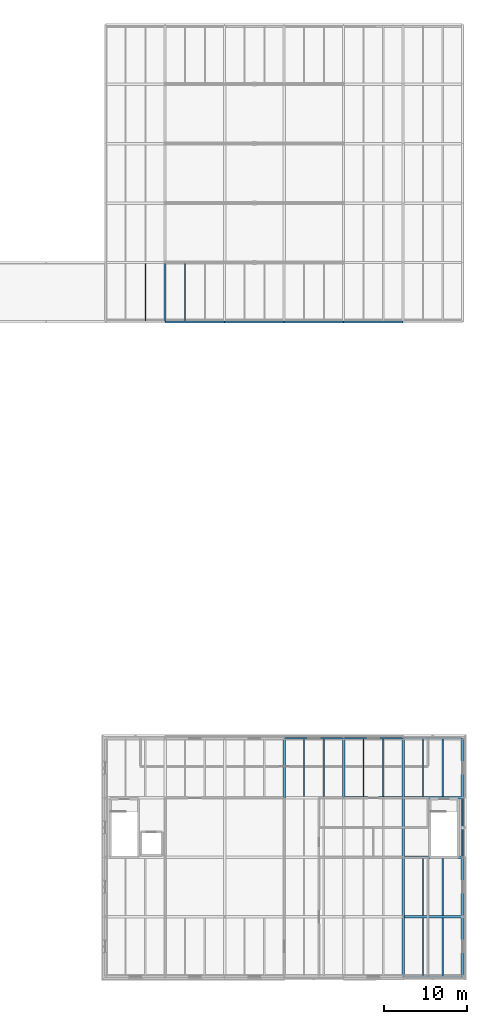
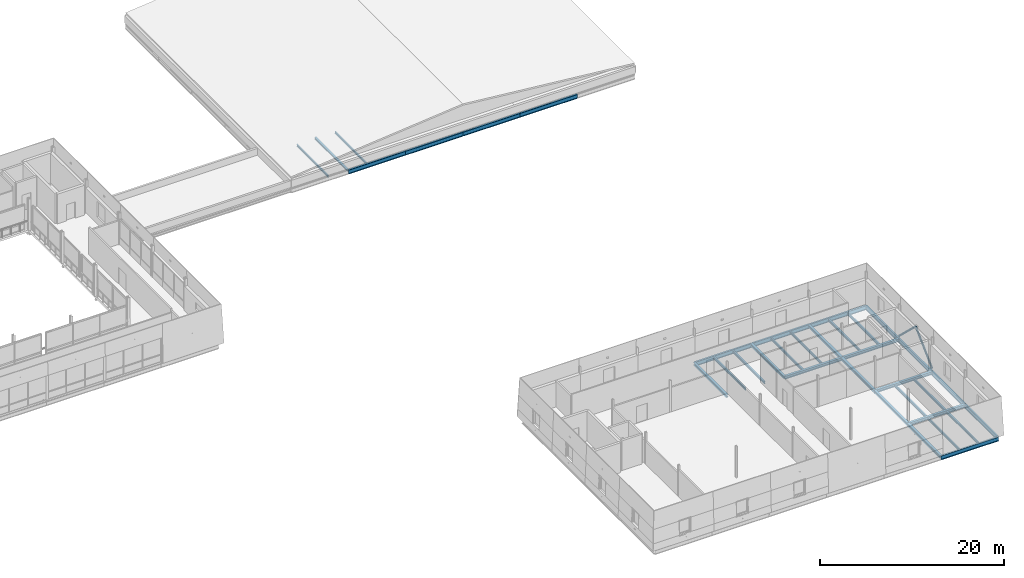
# One storey, part 28 of 91: 35 beams, 2 members.
"""IFC4 building model written with IfcOpenShell, lengths in metres."""

from ifc_helpers import new_model, si_unit, direction, frame, origin, origin_2d, place, context, subcontext, project, spatial, hollow_circle, i_section, extrude, material, material_profile, profile_set, type_object, element, save


model = new_model("IFC4")

# Units and contexts
model_context = context("Model", 3, precision=1e-05, world=origin(), true_north=direction((0.0, 1.0)))
body_context = subcontext(model_context, "Body", "Model", "MODEL_VIEW")
ifc_project = project(units=[si_unit("LENGTHUNIT", "METRE"), si_unit("AREAUNIT", "SQUARE_METRE"), si_unit("VOLUMEUNIT", "CUBIC_METRE"), si_unit("PLANEANGLEUNIT", "RADIAN"), si_unit("MASSUNIT", "GRAM", prefix="KILO")], contexts=[model_context])

# Site, building, storey
site_placement = place(None, origin())
site = spatial("IfcSite", under=ifc_project, at=site_placement, CompositionType="ELEMENT")
building_placement = place(site_placement, origin())
building = spatial("IfcBuilding", under=site, at=building_placement, Name="Narikvali Park Central Library", CompositionType="ELEMENT")
storey_placement = place(building_placement, frame((0.0, 0.0, 14.39990234375)))
storey = spatial("IfcBuildingStorey", under=building, at=storey_placement, Name="L03", CompositionType="ELEMENT", Elevation=14.39990234375)

# Beams
ifc_material = material(Name="Steel S355", Category="steel")
ifc_material_profile_1 = material_profile(ifc_material, i_section(OverallWidth=0.135009765625, OverallDepth=0.27001953125, WebThickness=0.006591796875, FlangeThickness=0.01025390625, FilletRadius=0.014892578125, at=origin_2d()), Name="IPE 270")
ifc_profile_set_1 = profile_set([ifc_material_profile_1], Name="Steel S355")
beam_type_1 = type_object("IfcBeamType", Name="Composite Floor Joist IPE270", PredefinedType="JOIST", material=ifc_profile_set_1)
for number, where, z_axis, x_axis, name in (
    (1, (127.199951171875, 79.304931640625, -0.375), (0.0, 1.0, 0.0), (-1.0, 0.0, 0.0), "V3 L03 Composite Joist 2"),
    (2, (132.0, 79.304931640625, -0.375), (0.0, 1.0, 0.0), (-1.0, 0.0, 0.0), "V3 L03 Composite Joist 1"),
):
    element("IfcBeam", number, at=place(storey_placement, frame(where, z_axis=z_axis, x_axis=x_axis)), inside=storey, type_object=beam_type_1, Name=name, PredefinedType="JOIST", context=body_context, shape_type="SweptSolid", body=[
        extrude(i_section(OverallWidth=0.135009765625, OverallDepth=0.27001953125, WebThickness=0.006591796875, FlangeThickness=0.01025390625, FilletRadius=0.014892578125, at=origin_2d()), origin(), (0.0, 0.0, 1.0), 6.945068359375),
    ])
ifc_material_profile_2 = material_profile(ifc_material, i_section(OverallWidth=0.159912109375, OverallDepth=0.330078125, WebThickness=0.007568359375, FlangeThickness=0.011474609375, FilletRadius=0.01806640625, at=origin_2d()), Name="IPE 330")
ifc_profile_set_2 = profile_set([ifc_material_profile_2], Name="Steel S355")
beam_type_2 = type_object("IfcBeamType", Name="Composite Floor Joist IPE330", PredefinedType="JOIST", material=ifc_profile_set_2)
for number, where, z_axis, x_axis, name in (
    (3, (146.39990234375, 21.75, -0.44482421875), (0.0, 1.0, 0.0), (-1.0, 0.0, 0.0), "V6 L03 Composite Joist 1"),
    (4, (148.800048828125, 21.75, -0.44482421875), (0.0, 1.0, 0.0), (-1.0, 0.0, 0.0), "V6 L03 Composite Joist 2"),
    (5, (153.60009765625, 21.75, -0.44482421875), (0.0, 1.0, 0.0), (-1.0, 0.0, 0.0), "V6 L03 Composite Joist 1"),
    (6, (156.0, 21.75, -0.44482421875), (0.0, 1.0, 0.0), (-1.0, 0.0, 0.0), "V6 L03 Composite Joist 2"),
    (7, (160.800048828125, 0.10498046875, -0.44482421875), (0.0, 1.0, 0.0), (-1.0, 0.0, 0.0), "V6 L03 Composite Joist 1"),
    (8, (163.199951171875, 0.10498046875, -0.44482421875), (0.0, 1.0, 0.0), (-1.0, 0.0, 0.0), "V6 L03 Composite Joist 2"),
):
    element("IfcBeam", number, at=place(storey_placement, frame(where, z_axis=z_axis, x_axis=x_axis)), inside=storey, type_object=beam_type_2, Name=name, PredefinedType="JOIST", context=body_context, shape_type="SweptSolid", body=[
        extrude(i_section(OverallWidth=0.159912109375, OverallDepth=0.330078125, WebThickness=0.007568359375, FlangeThickness=0.011474609375, FilletRadius=0.01806640625, at=origin_2d()), origin(), (0.0, 0.0, 1.0), 6.945068359375),
    ])
for number, where, z_axis, x_axis, name in (
    (9, (160.800048828125, 7.35009765625, -0.44482421875), (0.0, 1.0, 0.0), (-1.0, 0.0, 0.0), "V6 L03 Composite Joist 1"),
    (10, (163.199951171875, 7.35009765625, -0.44482421875), (0.0, 1.0, 0.0), (-1.0, 0.0, 0.0), "V6 L03 Composite Joist 2"),
):
    element("IfcBeam", number, at=place(storey_placement, frame(where, z_axis=z_axis, x_axis=x_axis)), inside=storey, type_object=beam_type_2, Name=name, PredefinedType="JOIST", context=body_context, shape_type="SweptSolid", body=[
        extrude(i_section(OverallWidth=0.159912109375, OverallDepth=0.330078125, WebThickness=0.007568359375, FlangeThickness=0.011474609375, FilletRadius=0.01806640625, at=origin_2d()), origin(), (0.0, 0.0, 1.0), 6.89990234375),
    ])
for number, where, z_axis, x_axis, name in (
    (11, (160.800048828125, 21.75, -0.44482421875), (0.0, 1.0, 0.0), (-1.0, 0.0, 0.0), "V6 L03 Composite Joist 1"),
    (12, (163.199951171875, 21.75, -0.44482421875), (0.0, 1.0, 0.0), (-1.0, 0.0, 0.0), "V6 L03 Composite Joist 2"),
):
    element("IfcBeam", number, at=place(storey_placement, frame(where, z_axis=z_axis, x_axis=x_axis)), inside=storey, type_object=beam_type_2, Name=name, PredefinedType="JOIST", context=body_context, shape_type="SweptSolid", body=[
        extrude(i_section(OverallWidth=0.159912109375, OverallDepth=0.330078125, WebThickness=0.007568359375, FlangeThickness=0.011474609375, FilletRadius=0.01806640625, at=origin_2d()), origin(), (0.0, 0.0, 1.0), 6.945068359375),
    ])
ifc_material_profile_3 = material_profile(ifc_material, i_section(OverallWidth=0.2099609375, OverallDepth=0.550048828125, WebThickness=0.010986328125, FlangeThickness=0.01708984375, FilletRadius=0.02392578125, at=origin_2d()), Name="IPE 550")
ifc_profile_set_3 = profile_set([ifc_material_profile_3], Name="Steel S355")
beam_type_3 = type_object("IfcBeamType", Name="Perimeter Spandrel IPE550", PredefinedType="SPANDREL", material=ifc_profile_set_3)
beam_1_placement = place(storey_placement, frame((129.60791015625, 79.199951171875, -0.514892578125), z_axis=(1.0, 0.0, 0.0), x_axis=(0.0, 1.0, 0.0)))
element("IfcBeam", 13, at=beam_1_placement, inside=storey, type_object=beam_type_3, Name="V3 L03 Girder X", PredefinedType="SPANDREL", context=body_context, shape_type="SweptSolid", body=[
    extrude(i_section(OverallWidth=0.2099609375, OverallDepth=0.550048828125, WebThickness=0.010986328125, FlangeThickness=0.01708984375, FilletRadius=0.02392578125, at=origin_2d()), origin(), (0.0, 0.0, 1.0), 7.18408203125),
])
for number, where, z_axis, x_axis, name in (
    (14, (136.80810546875, 79.199951171875, -0.514892578125), (1.0, 0.0, 0.0), (0.0, 1.0, 0.0), "V3 L03 Girder X"),
    (15, (144.008056640625, 79.199951171875, -0.514892578125), (1.0, 0.0, 0.0), (0.0, 1.0, 0.0), "V3 L03 Girder X"),
):
    element("IfcBeam", number, at=place(storey_placement, frame(where, z_axis=z_axis, x_axis=x_axis)), inside=storey, type_object=beam_type_3, Name=name, PredefinedType="SPANDREL", context=body_context, shape_type="SweptSolid", body=[
        extrude(i_section(OverallWidth=0.2099609375, OverallDepth=0.550048828125, WebThickness=0.010986328125, FlangeThickness=0.01708984375, FilletRadius=0.02392578125, at=origin_2d()), origin(), (0.0, 0.0, 1.0), 7.183837890625),
    ])
for number, where, z_axis, x_axis, name in (
    (16, (151.2080078125, 79.199951171875, -0.514892578125), (1.0, 0.0, 0.0), (0.0, 1.0, 0.0), "V3 L03 Girder X"),
    (17, (158.407958984375, 0.0, -0.554931640625), (1.0, 0.0, 0.0), (0.0, 1.0, 0.0), "V6 L03 Girder X"),
):
    element("IfcBeam", number, at=place(storey_placement, frame(where, z_axis=z_axis, x_axis=x_axis)), inside=storey, type_object=beam_type_3, Name=name, PredefinedType="SPANDREL", context=body_context, shape_type="SweptSolid", body=[
        extrude(i_section(OverallWidth=0.2099609375, OverallDepth=0.550048828125, WebThickness=0.010986328125, FlangeThickness=0.01708984375, FilletRadius=0.02392578125, at=origin_2d()), origin(), (0.0, 0.0, 1.0), 7.18408203125),
    ])
beam_2_placement = place(storey_placement, frame((144.008056640625, 28.800048828125, -0.554931640625), z_axis=(1.0, 0.0, 0.0), x_axis=(0.0, 1.0, 0.0)))
element("IfcBeam", 18, at=beam_2_placement, inside=storey, type_object=beam_type_3, Name="V6 L03 Girder X", PredefinedType="SPANDREL", context=body_context, shape_type="SweptSolid", body=[
    extrude(i_section(OverallWidth=0.2099609375, OverallDepth=0.550048828125, WebThickness=0.010986328125, FlangeThickness=0.01708984375, FilletRadius=0.02392578125, at=origin_2d()), origin(), (0.0, 0.0, 1.0), 7.183837890625),
])
for number, where, z_axis, x_axis, name in (
    (19, (151.2080078125, 28.800048828125, -0.554931640625), (1.0, 0.0, 0.0), (0.0, 1.0, 0.0), "V6 L03 Girder X"),
    (20, (158.407958984375, 28.800048828125, -0.554931640625), (1.0, 0.0, 0.0), (0.0, 1.0, 0.0), "V6 L03 Girder X"),
):
    element("IfcBeam", number, at=place(storey_placement, frame(where, z_axis=z_axis, x_axis=x_axis)), inside=storey, type_object=beam_type_3, Name=name, PredefinedType="SPANDREL", context=body_context, shape_type="SweptSolid", body=[
        extrude(i_section(OverallWidth=0.2099609375, OverallDepth=0.550048828125, WebThickness=0.010986328125, FlangeThickness=0.01708984375, FilletRadius=0.02392578125, at=origin_2d()), origin(), (0.0, 0.0, 1.0), 7.18408203125),
    ])
beam_3_placement = place(storey_placement, frame((165.60009765625, 0.008056640625, -0.554931640625), z_axis=(0.0, 1.0, 0.0), x_axis=(-1.0, 0.0, 0.0)))
element("IfcBeam", 21, at=beam_3_placement, inside=storey, type_object=beam_type_3, Name="V6 L03 Girder Y", PredefinedType="SPANDREL", context=body_context, shape_type="SweptSolid", body=[
    extrude(i_section(OverallWidth=0.2099609375, OverallDepth=0.550048828125, WebThickness=0.010986328125, FlangeThickness=0.01708984375, FilletRadius=0.02392578125, at=origin_2d()), origin(), (0.0, 0.0, 1.0), 7.183837890625),
])
for number, where, z_axis, x_axis, name in (
    (22, (165.60009765625, 7.2080078125, -0.554931640625), (0.0, 1.0, 0.0), (-1.0, 0.0, 0.0), "V6 L03 Girder Y"),
    (23, (165.60009765625, 14.407958984375, -0.554931640625), (0.0, 1.0, 0.0), (-1.0, 0.0, 0.0), "V6 L03 Girder Y"),
    (24, (165.60009765625, 21.60791015625, -0.554931640625), (0.0, 1.0, 0.0), (-1.0, 0.0, 0.0), "V6 L03 Girder Y"),
):
    element("IfcBeam", number, at=place(storey_placement, frame(where, z_axis=z_axis, x_axis=x_axis)), inside=storey, type_object=beam_type_3, Name=name, PredefinedType="SPANDREL", context=body_context, shape_type="SweptSolid", body=[
        extrude(i_section(OverallWidth=0.2099609375, OverallDepth=0.550048828125, WebThickness=0.010986328125, FlangeThickness=0.01708984375, FilletRadius=0.02392578125, at=origin_2d()), origin(), (0.0, 0.0, 1.0), 7.18408203125),
    ])
ifc_material_profile_4 = material_profile(ifc_material, i_section(OverallWidth=0.239990234375, OverallDepth=0.22998046875, WebThickness=0.007568359375, FlangeThickness=0.011962890625, FilletRadius=0.02099609375, at=origin_2d()), Name="HEA 240")
ifc_profile_set_4 = profile_set([ifc_material_profile_4], Name="Steel S355")
beam_type_4 = type_object("IfcBeamType", Name="Primary Girder HEA240", PredefinedType="BEAM", material=ifc_profile_set_4)
beam_4_placement = place(storey_placement, frame((129.60009765625, 79.2080078125, -0.35498046875), z_axis=(0.0, 1.0, 0.0), x_axis=(-1.0, 0.0, 0.0)))
element("IfcBeam", 25, at=beam_4_placement, inside=storey, type_object=beam_type_4, Name="V3 L03 Girder Y", PredefinedType="BEAM", context=body_context, shape_type="SweptSolid", body=[
    extrude(i_section(OverallWidth=0.239990234375, OverallDepth=0.22998046875, WebThickness=0.007568359375, FlangeThickness=0.011962890625, FilletRadius=0.02099609375, at=origin_2d()), origin(), (0.0, 0.0, 1.0), 7.18408203125),
])
ifc_material_profile_5 = material_profile(ifc_material, i_section(OverallWidth=0.300048828125, OverallDepth=0.35009765625, WebThickness=0.010009765625, FlangeThickness=0.017578125, FilletRadius=0.027099609375, at=origin_2d()), Name="HEA 360")
ifc_profile_set_5 = profile_set([ifc_material_profile_5], Name="Steel S355")
beam_type_5 = type_object("IfcBeamType", Name="Primary Girder HEA360", PredefinedType="BEAM", material=ifc_profile_set_5)
for number, where, z_axis, x_axis, name in (
    (26, (144.0, 21.60791015625, -0.454833984375), (0.0, 1.0, 0.0), (-1.0, 0.0, 0.0), "V6 L03 Girder Y"),
    (27, (151.199951171875, 21.60791015625, -0.454833984375), (0.0, 1.0, 0.0), (-1.0, 0.0, 0.0), "V6 L03 Girder Y"),
):
    element("IfcBeam", number, at=place(storey_placement, frame(where, z_axis=z_axis, x_axis=x_axis)), inside=storey, type_object=beam_type_5, Name=name, PredefinedType="BEAM", context=body_context, shape_type="SweptSolid", body=[
        extrude(i_section(OverallWidth=0.300048828125, OverallDepth=0.35009765625, WebThickness=0.010009765625, FlangeThickness=0.017578125, FilletRadius=0.027099609375, at=origin_2d()), origin(), (0.0, 0.0, 1.0), 7.18408203125),
    ])
beam_5_placement = place(storey_placement, frame((158.39990234375, 0.008056640625, -0.454833984375), z_axis=(0.0, 1.0, 0.0), x_axis=(-1.0, 0.0, 0.0)))
element("IfcBeam", 28, at=beam_5_placement, inside=storey, type_object=beam_type_5, Name="V6 L03 Girder Y", PredefinedType="BEAM", context=body_context, shape_type="SweptSolid", body=[
    extrude(i_section(OverallWidth=0.300048828125, OverallDepth=0.35009765625, WebThickness=0.010009765625, FlangeThickness=0.017578125, FilletRadius=0.027099609375, at=origin_2d()), origin(), (0.0, 0.0, 1.0), 7.183837890625),
])
for number, where, z_axis, x_axis, name in (
    (29, (158.39990234375, 7.2080078125, -0.454833984375), (0.0, 1.0, 0.0), (-1.0, 0.0, 0.0), "V6 L03 Girder Y"),
    (30, (158.39990234375, 14.407958984375, -0.454833984375), (0.0, 1.0, 0.0), (-1.0, 0.0, 0.0), "V6 L03 Girder Y"),
    (31, (158.39990234375, 21.60791015625, -0.454833984375), (0.0, 1.0, 0.0), (-1.0, 0.0, 0.0), "V6 L03 Girder Y"),
):
    element("IfcBeam", number, at=place(storey_placement, frame(where, z_axis=z_axis, x_axis=x_axis)), inside=storey, type_object=beam_type_5, Name=name, PredefinedType="BEAM", context=body_context, shape_type="SweptSolid", body=[
        extrude(i_section(OverallWidth=0.300048828125, OverallDepth=0.35009765625, WebThickness=0.010009765625, FlangeThickness=0.017578125, FilletRadius=0.027099609375, at=origin_2d()), origin(), (0.0, 0.0, 1.0), 7.18408203125),
    ])
ifc_material_profile_6 = material_profile(ifc_material, i_section(OverallWidth=0.300048828125, OverallDepth=0.389892578125, WebThickness=0.010986328125, FlangeThickness=0.01904296875, FilletRadius=0.027099609375, at=origin_2d()), Name="HEA 400")
ifc_profile_set_6 = profile_set([ifc_material_profile_6], Name="Steel S355")
beam_type_6 = type_object("IfcBeamType", Name="Primary Girder HEA400", PredefinedType="BEAM", material=ifc_profile_set_6)
for number, where, z_axis, x_axis, name in (
    (32, (158.407958984375, 7.199951171875, -0.474853515625), (1.0, 0.0, 0.0), (0.0, 1.0, 0.0), "V6 L03 Girder X"),
    (33, (158.407958984375, 14.39990234375, -0.474853515625), (1.0, 0.0, 0.0), (0.0, 1.0, 0.0), "V6 L03 Girder X"),
    (34, (151.2080078125, 21.60009765625, -0.474853515625), (1.0, 0.0, 0.0), (0.0, 1.0, 0.0), "V6 L03 Girder X"),
    (35, (158.407958984375, 21.60009765625, -0.474853515625), (1.0, 0.0, 0.0), (0.0, 1.0, 0.0), "V6 L03 Girder X"),
):
    element("IfcBeam", number, at=place(storey_placement, frame(where, z_axis=z_axis, x_axis=x_axis)), inside=storey, type_object=beam_type_6, Name=name, PredefinedType="BEAM", context=body_context, shape_type="SweptSolid", body=[
        extrude(i_section(OverallWidth=0.300048828125, OverallDepth=0.389892578125, WebThickness=0.010986328125, FlangeThickness=0.01904296875, FilletRadius=0.027099609375, at=origin_2d()), origin(), (0.0, 0.0, 1.0), 7.18408203125),
    ])

# Members
ifc_material_profile_7 = material_profile(ifc_material, hollow_circle(Radius=0.122314453125, WallThickness=0.012451171875, at=origin_2d()), Name="CHS 244.5x12.5")
ifc_profile_set_7 = profile_set([ifc_material_profile_7], Name="Steel S355")
member_type = type_object("IfcMemberType", Name="Upper Chevron Brace CHS244", PredefinedType="BRACE", material=ifc_profile_set_7)
for number, where, z_axis, x_axis, name in (
    (36, (165.60009765625, 14.4150390625, 0.01513671875), (0.0, 0.723049169735, 0.690796567844), (-1.0, 0.0, 0.0), "V6 L03 Seismic Chevron Brace A"),
    (37, (165.60009765625, 21.5849609375, 0.01513671875), (0.0, -0.723049169735, 0.690796567844), (1.0, 0.0, 0.0), "V6 L03 Seismic Chevron Brace B"),
):
    element("IfcMember", number, at=place(storey_placement, frame(where, z_axis=z_axis, x_axis=x_axis)), inside=storey, type_object=member_type, Name=name, PredefinedType="BRACE", context=body_context, shape_type="SweptSolid", body=[
        extrude(hollow_circle(Radius=0.122314453125, WallThickness=0.012451171875, at=origin_2d()), origin(), (0.0, 0.0, 1.0), 4.9580078125),
    ])

save(model, "model.ifc")
